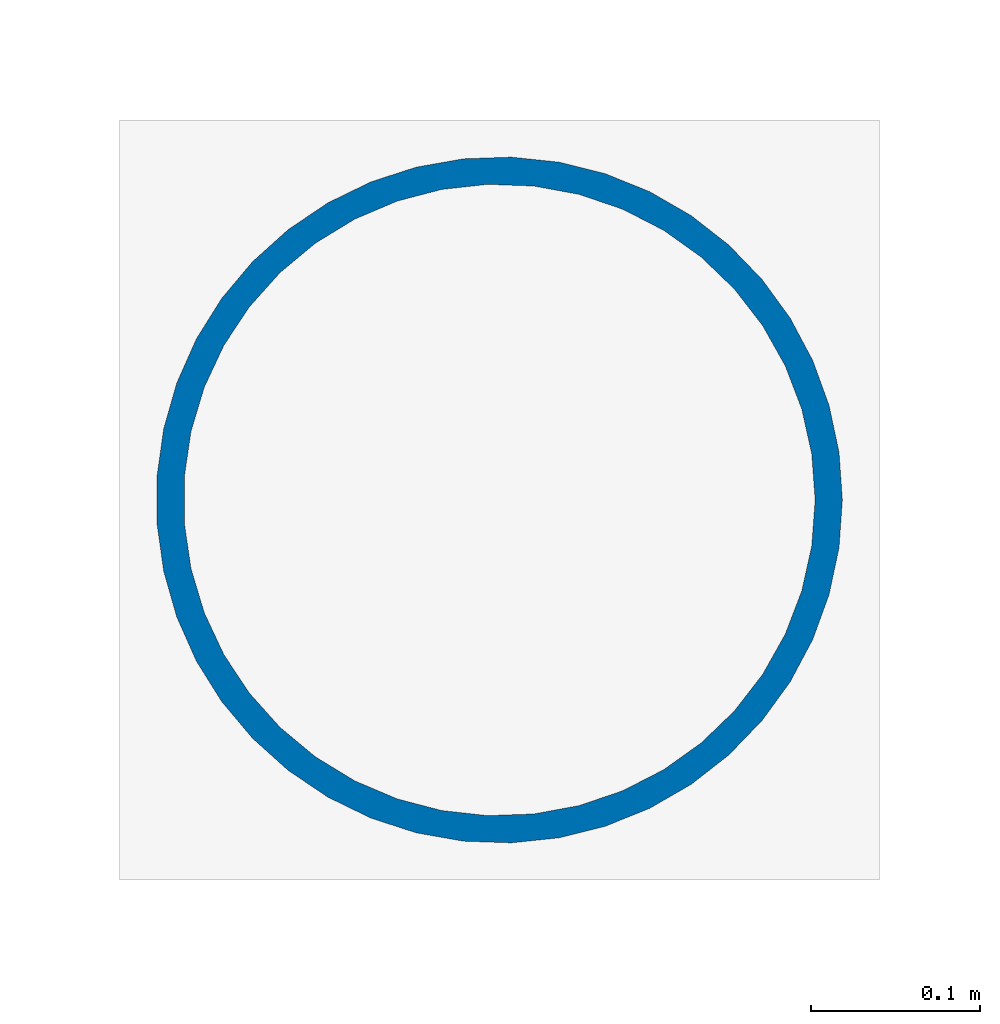
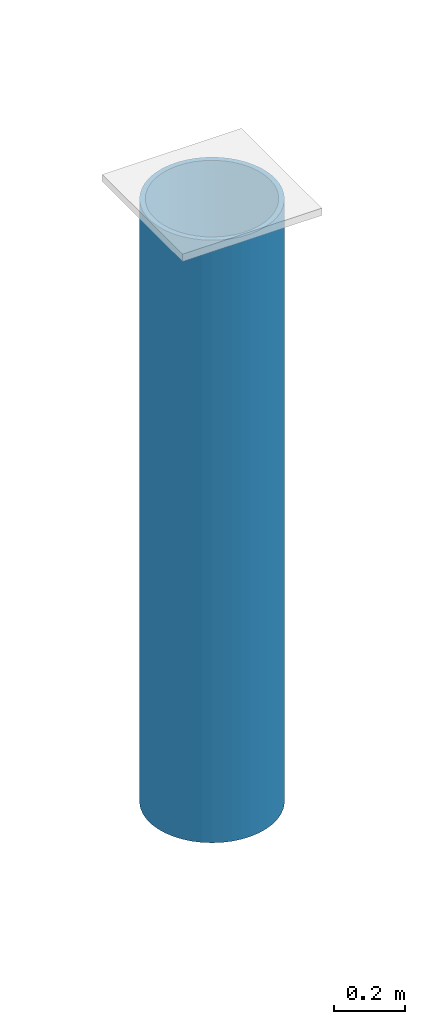
# One storey, part 10 of 52: 1 column.
"""IFC4 building model written with IfcOpenShell, lengths in metres."""

from ifc_helpers import new_model, si_unit, direction, frame, origin, origin_2d, place, context, subcontext, project, spatial, hollow_circle, extrude, material, material_profile, profile_set, type_object, element, save


model = new_model("IFC4")

# Units and contexts
model_context = context("Model", 3, precision=1e-05, world=origin(), true_north=direction((0.0, 1.0)))
body_context = subcontext(model_context, "Body", "Model", "MODEL_VIEW")
ifc_project = project(units=[si_unit("LENGTHUNIT", "METRE"), si_unit("AREAUNIT", "SQUARE_METRE"), si_unit("VOLUMEUNIT", "CUBIC_METRE"), si_unit("PLANEANGLEUNIT", "RADIAN"), si_unit("MASSUNIT", "GRAM", prefix="KILO"), si_unit("THERMODYNAMICTEMPERATUREUNIT", "KELVIN"), si_unit("POWERUNIT", "WATT")], contexts=[model_context])

# Site, building, storey
site_placement = place(None, origin())
site = spatial("IfcSite", under=ifc_project, at=site_placement, CompositionType="ELEMENT")
building_placement = place(site_placement, origin())
building = spatial("IfcBuilding", under=site, at=building_placement, Name="Solmara Park Aquatics Centre", CompositionType="ELEMENT")
storey_placement = place(building_placement, frame((0.0, 0.0, 9.60009765625)))
storey = spatial("IfcBuildingStorey", under=building, at=storey_placement, Name="L02", CompositionType="ELEMENT", Elevation=9.60009765625)

# Column
ifc_material = material(Name="Structural Steel S355", Category="steel")
ifc_material_profile = material_profile(ifc_material, hollow_circle(Radius=0.203125, WallThickness=0.01611328125, at=origin_2d()), Name="CHS 406.4x16")
ifc_profile_set = profile_set([ifc_material_profile], Name="Structural Steel S355")
column_type = type_object("IfcColumnType", Name="STR-COL-CHS406", PredefinedType="COLUMN", material=ifc_profile_set)
column_placement = place(storey_placement, frame((72.60009765625, 72.60009765625, 0.0), z_axis=(0.0, 0.0, 1.0), x_axis=(1.0, 0.0, 0.0)))
element("IfcColumn", 1, at=column_placement, inside=storey, type_object=column_type, Name="Column L02-0502", PredefinedType="COLUMN", context=body_context, shape_type="SweptSolid", body=[
    extrude(hollow_circle(Radius=0.203125, WallThickness=0.01611328125, at=origin_2d()), origin(), (0.0, 0.0, 1.0), 2.059814453125),
])

save(model, "model.ifc")
